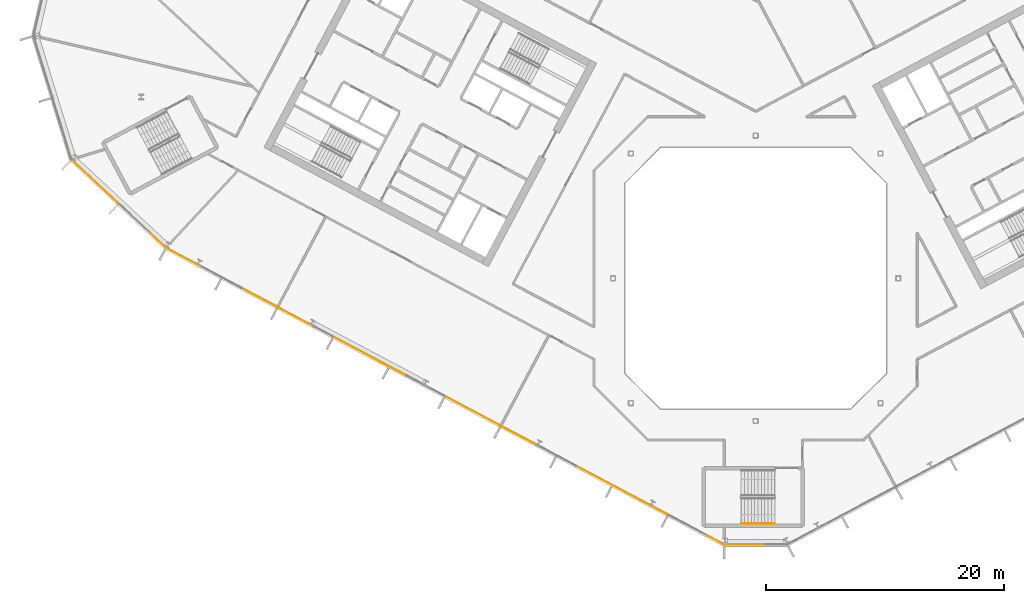
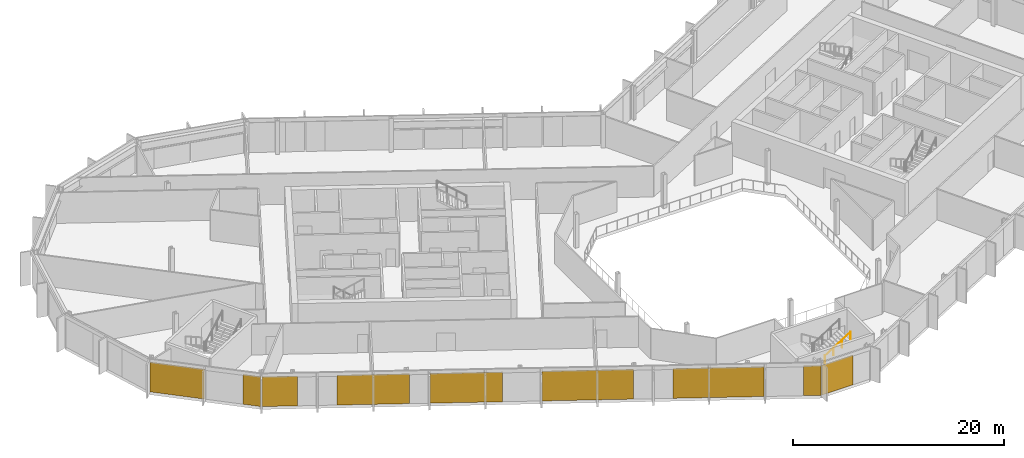
# One storey, part 19 of 27: 9 coverings, 1 railing, 3 elements without a shape of their own.
"""IFC4 building model written with IfcOpenShell, lengths in metres."""

from ifc_helpers import new_model, si_unit, direction, frame, origin, origin_2d, place, context, subcontext, project, spatial, polyline, rectangle, outline, extrude, material, layer, layer_set, type_object, element, aggregate, save


model = new_model("IFC4")

# Units and contexts
model_context = context("Model", 3, precision=1e-05, world=origin(), true_north=direction((0.0, 1.0)))
body_context = subcontext(model_context, "Body", "Model", "MODEL_VIEW")
ifc_project = project(units=[si_unit("LENGTHUNIT", "METRE"), si_unit("AREAUNIT", "SQUARE_METRE"), si_unit("VOLUMEUNIT", "CUBIC_METRE"), si_unit("PLANEANGLEUNIT", "RADIAN"), si_unit("MASSUNIT", "GRAM", prefix="KILO")], contexts=[model_context])

# Site, building, storey
site_placement = place(None, origin())
site = spatial("IfcSite", under=ifc_project, at=site_placement, CompositionType="ELEMENT")
building_placement = place(site_placement, origin())
building = spatial("IfcBuilding", under=site, at=building_placement, Name="Cormorant Relay Tower", CompositionType="ELEMENT")
storey_placement = place(building_placement, frame((0.0, 0.0, 240.300048828125)))
storey = spatial("IfcBuildingStorey", under=building, at=storey_placement, Name="L53", CompositionType="ELEMENT", Elevation=240.300048828125)

# Curtain wall, covering
ifc_material_1 = material(Name="Aluminium 6063-T6 anodised bronze", Category="aluminium")
ifc_layer_1 = layer(ifc_material_1, 0.199951171875)
ifc_layer_set_1 = layer_set([ifc_layer_1], Name="CW1 unitised bronze curtain wall with vertical fins")
curtain_wall_type = type_object("IfcCurtainWallType", Name="CW1 unitised bronze curtain wall with vertical fins", PredefinedType="NOTDEFINED", material=ifc_layer_set_1)
curtain_wall_1_placement = place(storey_placement, origin())
curtain_wall_1 = element("IfcCurtainWall", 1, at=curtain_wall_1_placement, inside=storey, type_object=curtain_wall_type, Name="CW1 curtain wall 1", PredefinedType="NOTDEFINED")
ifc_material_2 = material(Name="Pale bronze anodised aluminium insulated panel", Category="aluminium")
ifc_layer_2 = layer(ifc_material_2, 0.0400390625)
ifc_layer_set_2 = layer_set([ifc_layer_2], Name="CW1 pale bronze insulated panel 40")
covering_type = type_object("IfcCoveringType", Name="CW1 pale bronze insulated panel 40", PredefinedType="CLADDING", material=ifc_layer_set_2)
covering_1_placement = place(storey_placement, frame((-0.862548828125, -22.3955078125, 0.0), z_axis=(0.0, 0.0, 1.0), x_axis=(1.0, 0.0, 0.0)))
covering_1 = element("IfcCovering", 2, at=covering_1_placement, type_object=covering_type, Name="CW1 panel S00", PredefinedType="CLADDING", context=body_context, shape_type="SweptSolid", body=[
    extrude(rectangle(XDim=3.422607421875, YDim=0.0400390625, at=origin_2d()), origin(), (0.0, 0.0, 1.0), 3.449951171875),
])
aggregate(curtain_wall_1, [covering_1])

# Curtain wall, coverings
curtain_wall_2_placement = place(storey_placement, origin())
curtain_wall_2 = element("IfcCurtainWall", 3, at=curtain_wall_2_placement, inside=storey, type_object=curtain_wall_type, Name="CW1 curtain wall 15", PredefinedType="NOTDEFINED")
covering_2_placement = place(storey_placement, frame((-55.56787109375, 8.1298828125, 0.0), z_axis=(0.0, 0.0, 1.0), x_axis=(0.731353701619, -0.681998360062, 0.0)))
covering_2 = element("IfcCovering", 4, at=covering_2_placement, type_object=covering_type, Name="CW1 panel S00", PredefinedType="CLADDING", context=body_context, shape_type="SweptSolid", body=[
    extrude(rectangle(XDim=5.28515625, YDim=0.0400390625, at=origin_2d()), origin(), (0.0, 0.0, 1.0), 3.449951171875),
])
covering_3_placement = place(storey_placement, frame((-50.248779296875, 3.169921875, 0.0), z_axis=(0.0, 0.0, 1.0), x_axis=(0.731353701619, -0.681998360062, 0.0)))
covering_3 = element("IfcCovering", 5, at=covering_3_placement, type_object=covering_type, Name="CW1 panel S02", PredefinedType="CLADDING", context=body_context, shape_type="SweptSolid", body=[
    extrude(rectangle(XDim=1.76025390625, YDim=0.0400390625, at=origin_2d()), origin(), (0.0, 0.0, 1.0), 3.449951171875),
])
aggregate(curtain_wall_2, [covering_2, covering_3])

curtain_wall_3_placement = place(storey_placement, origin())
curtain_wall_3 = element("IfcCurtainWall", 6, at=curtain_wall_3_placement, inside=storey, type_object=curtain_wall_type, Name="CW1 curtain wall 16", PredefinedType="NOTDEFINED")
covering_4_placement = place(storey_placement, frame((-48.048583984375, 1.7412109375, 0.0), z_axis=(0.0, 0.0, 1.0), x_axis=(0.882947592859, -0.469471562786, 0.0)))
covering_4 = element("IfcCovering", 7, at=covering_4_placement, type_object=covering_type, Name="CW1 panel S00", PredefinedType="CLADDING", context=body_context, shape_type="SweptSolid", body=[
    extrude(rectangle(XDim=3.36669921875, YDim=0.0400390625, at=origin_2d()), origin(), (0.0, 0.0, 1.0), 3.449951171875),
])
covering_5_placement = place(storey_placement, frame((-40.21240234375, -2.42529296875, 0.0), z_axis=(0.0, 0.0, 1.0), x_axis=(0.882947592859, -0.469471562786, 0.0)))
covering_5 = element("IfcCovering", 8, at=covering_5_placement, type_object=covering_type, Name="CW1 panel S03", PredefinedType="CLADDING", context=body_context, shape_type="SweptSolid", body=[
    extrude(rectangle(XDim=6.88330078125, YDim=0.0400390625, at=origin_2d()), origin(), (0.0, 0.0, 1.0), 3.449951171875),
])
covering_6_placement = place(storey_placement, frame((-32.4130859375, -6.572265625, 0.0), z_axis=(0.0, 0.0, 1.0), x_axis=(0.882947592859, -0.469471562786, 0.0)))
covering_6 = element("IfcCovering", 9, at=covering_6_placement, type_object=covering_type, Name="CW1 panel S05", PredefinedType="CLADDING", context=body_context, shape_type="SweptSolid", body=[
    extrude(rectangle(XDim=6.88330078125, YDim=0.0400390625, at=origin_2d()), origin(), (0.0, 0.0, 1.0), 3.449951171875),
])
covering_7_placement = place(storey_placement, frame((-22.22998046875, -11.98681640625, 0.0), z_axis=(0.0, 0.0, 1.0), x_axis=(0.882947592859, -0.469471562786, 0.0)))
covering_7 = element("IfcCovering", 10, at=covering_7_placement, type_object=covering_type, Name="CW1 panel S07", PredefinedType="CLADDING", context=body_context, shape_type="SweptSolid", body=[
    extrude(rectangle(XDim=8.68310546875, YDim=0.0400390625, at=origin_2d()), origin(), (0.0, 0.0, 1.0), 3.449951171875),
])
covering_8_placement = place(storey_placement, frame((-11.252197265625, -17.82373046875, 0.0), z_axis=(0.0, 0.0, 1.0), x_axis=(0.882947592859, -0.469471562786, 0.0)))
covering_8 = element("IfcCovering", 11, at=covering_8_placement, type_object=covering_type, Name="CW1 panel S10", PredefinedType="CLADDING", context=body_context, shape_type="SweptSolid", body=[
    extrude(rectangle(XDim=8.68310546875, YDim=0.0400390625, at=origin_2d()), origin(), (0.0, 0.0, 1.0), 3.449951171875),
])
covering_9_placement = place(storey_placement, frame((-3.383056640625, -22.0078125, 0.0), z_axis=(0.0, 0.0, 1.0), x_axis=(0.882947592859, -0.469471562786, 0.0)))
covering_9 = element("IfcCovering", 12, at=covering_9_placement, type_object=covering_type, Name="CW1 panel S12", PredefinedType="CLADDING", context=body_context, shape_type="SweptSolid", body=[
    extrude(rectangle(XDim=1.6416015625, YDim=0.0400390625, at=origin_2d()), origin(), (0.0, 0.0, 1.0), 3.449951171875),
])
aggregate(curtain_wall_3, [covering_4, covering_5, covering_6, covering_7, covering_8, covering_9])

# Railing
ifc_material_3 = material(Name="Steel ASTM A572 Grade 50 (Fy 345 MPa)", Category="steel")
railing_type = type_object("IfcRailingType", Name="Stair handrail 900", PredefinedType="HANDRAIL", material=ifc_material_3)
railing_placement = place(storey_placement, frame((-1.199951171875, -20.625, 2.127197265625)))
element("IfcRailing", 13, at=railing_placement, inside=storey, type_object=railing_type, Name="L53 RK1 stair handrail 2", PredefinedType="HANDRAIL", context=body_context, shape_type="SweptSolid", body=[
    extrude(outline(polyline([(0.022216796875, 0.00927734375), (0.00927734375, 0.022216796875), (-0.00927734375, 0.022216796875), (-0.022216796875, 0.00927734375), (-0.022216796875, -0.00927734375), (-0.00927734375, -0.022216796875), (0.00927734375, -0.022216796875), (0.022216796875, -0.00927734375), (0.022216796875, 0.00927734375)])), frame((0.0, 0.0, 0.8759765625), z_axis=(0.844908973607, 0.0, 0.534910110503), x_axis=(0.0, 1.0, 0.0)), (0.0, 0.0, 1.0), 3.31396484375),
    extrude(outline(polyline([(0.019287109375, 0.008056640625), (0.008056640625, 0.019287109375), (-0.008056640625, 0.019287109375), (-0.019287109375, 0.008056640625), (-0.019287109375, -0.008056640625), (-0.008056640625, -0.019287109375), (0.008056640625, -0.019287109375), (0.019287109375, -0.008056640625), (0.019287109375, 0.008056640625)])), origin(), (0.0, 0.0, 1.0), 0.851806640625),
    extrude(outline(polyline([(0.019287109375, 0.008056640625), (0.008056640625, 0.019287109375), (-0.008056640625, 0.019287109375), (-0.019287109375, 0.008056640625), (-0.019287109375, -0.008056640625), (-0.008056640625, -0.019287109375), (0.008056640625, -0.019287109375), (0.019287109375, -0.008056640625), (0.019287109375, 0.008056640625)])), frame((0.933349609375, 0.0, 0.5908203125)), (0.0, 0.0, 1.0), 0.851806640625),
    extrude(outline(polyline([(0.019287109375, 0.008056640625), (0.008056640625, 0.019287109375), (-0.008056640625, 0.019287109375), (-0.019287109375, 0.008056640625), (-0.019287109375, -0.008056640625), (-0.008056640625, -0.019287109375), (0.008056640625, -0.019287109375), (0.019287109375, -0.008056640625), (0.019287109375, 0.008056640625)])), frame((1.86669921875, 0.0, 1.181884765625)), (0.0, 0.0, 1.0), 0.851806640625),
    extrude(outline(polyline([(0.019287109375, 0.008056640625), (0.008056640625, 0.019287109375), (-0.008056640625, 0.019287109375), (-0.019287109375, 0.008056640625), (-0.019287109375, -0.008056640625), (-0.008056640625, -0.019287109375), (0.008056640625, -0.019287109375), (0.019287109375, -0.008056640625), (0.019287109375, 0.008056640625)])), frame((2.800048828125, 0.0, 1.772705078125)), (0.0, 0.0, 1.0), 0.851806640625),
])

save(model, "model.ifc")
